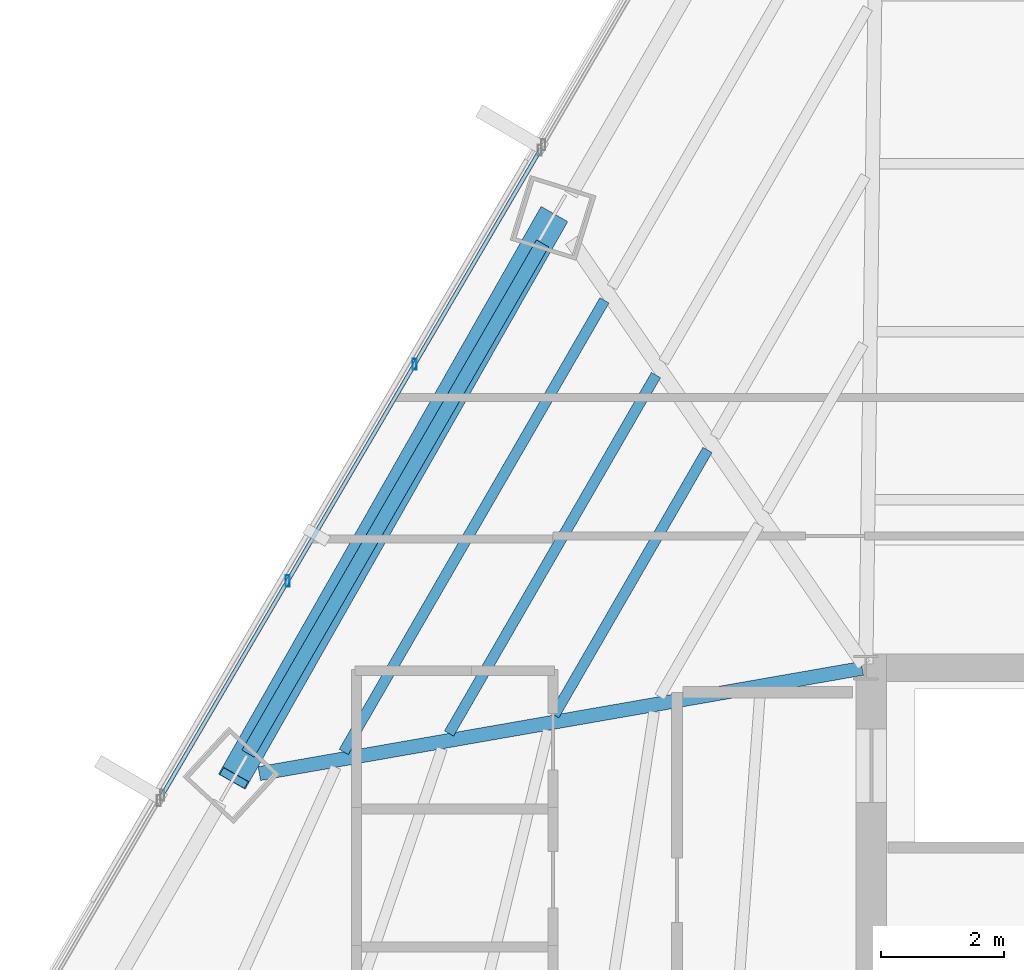
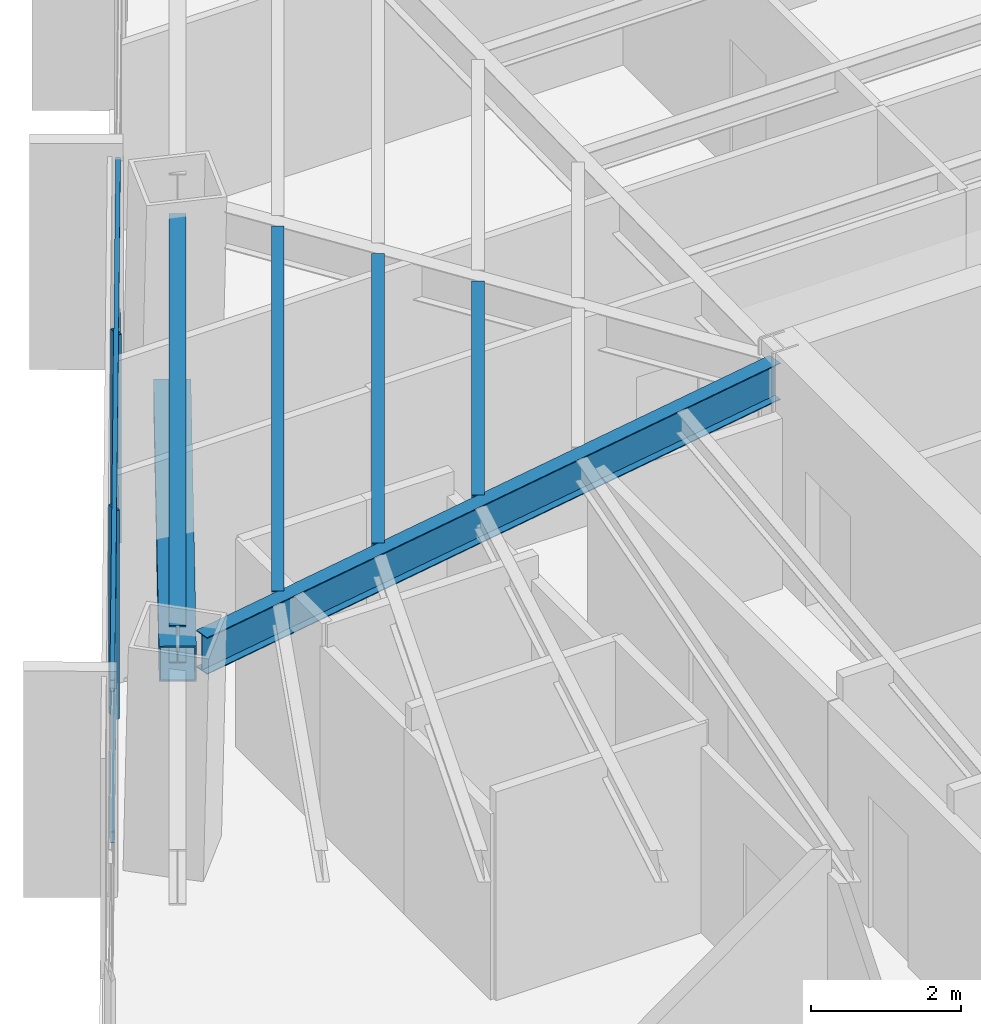
# One storey, part 12 of 35: 5 beams, 5 members, 1 element without a shape of its own.
"""IFC4 building model written with IfcOpenShell, lengths in metres."""

from ifc_helpers import new_model, si_unit, direction, frame, origin, origin_2d, place, context, subcontext, project, spatial, hollow_rectangle, i_section, extrude, source, transform, mapped, material, material_profile, profile_set, type_object, type_shapes, element, aggregate, save


model = new_model("IFC4")

# Units and contexts
model_context = context("Model", 3, precision=1e-05, world=origin(), true_north=direction((0.0, 1.0)))
body_context = subcontext(model_context, "Body", "Model", "MODEL_VIEW")
ifc_project = project(units=[si_unit("LENGTHUNIT", "METRE"), si_unit("AREAUNIT", "SQUARE_METRE"), si_unit("VOLUMEUNIT", "CUBIC_METRE"), si_unit("PLANEANGLEUNIT", "RADIAN"), si_unit("MASSUNIT", "GRAM", prefix="KILO")], contexts=[model_context])

# Site, building, storey
site_placement = place(None, origin())
site = spatial("IfcSite", under=ifc_project, at=site_placement, CompositionType="ELEMENT")
building_placement = place(site_placement, origin())
building = spatial("IfcBuilding", under=site, at=building_placement, Name="Caelisora Broadcast Tower", CompositionType="ELEMENT")
storey_placement = place(building_placement, frame((0.0, 0.0, 109.050048828125)))
storey = spatial("IfcBuildingStorey", under=building, at=storey_placement, Name="L28", CompositionType="ELEMENT", Elevation=109.050048828125)

# Beams
ifc_material_1 = material(Name="Steel Grade 350 (AS/NZS 3679.1)", Category="steel")
ifc_material_profile_1 = material_profile(ifc_material_1, i_section(OverallWidth=0.22900390625, OverallDepth=0.611572265625, WebThickness=0.011962890625, FlangeThickness=0.01953125, at=origin_2d()), Name="Steel Grade 350 (AS/NZS 3679.1)")
ifc_profile_set_1 = profile_set([ifc_material_profile_1], Name="Steel Grade 350 (AS/NZS 3679.1)")
beam_type_1 = type_object("IfcBeamType", Name="PG03", PredefinedType="BEAM", material=ifc_profile_set_1)
shared_shape_1 = source(origin(), body_context, "Body", "SweptSolid", [
    extrude(i_section(OverallWidth=0.22900390625, OverallDepth=0.611572265625, WebThickness=0.011962890625, FlangeThickness=0.01953125, at=origin_2d()), origin(), (0.0, 0.0, 1.0), 9.59912109375),
])
type_shapes(beam_type_1, [shared_shape_1])
beam_1_placement = place(storey_placement, frame((25.231689453125, 36.913818359375, 3.09423828125), z_axis=(-0.499974171624, -0.866040315291, 0.0), x_axis=(0.866040315291, -0.499974171624, 0.0)))
element("IfcBeam", 1, at=beam_1_placement, inside=storey, type_object=beam_type_1, Name="L28 beam PG03", PredefinedType="BEAM", context=body_context, shape_type="MappedRepresentation", body=[
    mapped(shared_shape_1, transform((0.0, 0.0, 0.0), scale=1.0)),
])
ifc_material_profile_2 = material_profile(ifc_material_1, i_section(OverallWidth=0.22802734375, OverallDepth=0.602294921875, WebThickness=0.010498046875, FlangeThickness=0.014892578125, at=origin_2d()), Name="Steel Grade 350 (AS/NZS 3679.1)")
ifc_profile_set_2 = profile_set([ifc_material_profile_2], Name="Steel Grade 350 (AS/NZS 3679.1)")
beam_type_2 = type_object("IfcBeamType", Name="PG04", PredefinedType="BEAM", material=ifc_profile_set_2)
shared_shape_2 = source(origin(), body_context, "Body", "SweptSolid", [
    extrude(i_section(OverallWidth=0.22802734375, OverallDepth=0.602294921875, WebThickness=0.010498046875, FlangeThickness=0.014892578125, at=origin_2d()), origin(), (0.0, 0.0, 1.0), 9.9736328125),
])
type_shapes(beam_type_2, [shared_shape_2])
beam_2_placement = place(storey_placement, frame((30.44091796875, 29.98974609375, 3.098876953125), z_axis=(-0.985099074989, -0.171987826476, 0.0), x_axis=(0.171987826476, -0.985099074989, 0.0)))
element("IfcBeam", 2, at=beam_2_placement, inside=storey, type_object=beam_type_2, Name="L28 beam PG04", PredefinedType="BEAM", context=body_context, shape_type="MappedRepresentation", body=[
    mapped(shared_shape_2, transform((0.0, 0.0, 0.0), scale=1.0)),
])
ifc_material_profile_3 = material_profile(ifc_material_1, i_section(OverallWidth=0.172119140625, OverallDepth=0.358642578125, WebThickness=0.008056640625, FlangeThickness=0.012939453125, at=origin_2d()), Name="Steel Grade 350 (AS/NZS 3679.1)")
ifc_profile_set_3 = profile_set([ifc_material_profile_3], Name="Steel Grade 350 (AS/NZS 3679.1)")
beam_type_3 = type_object("IfcBeamType", Name="SB02", PredefinedType="JOIST", material=ifc_profile_set_3)
shared_shape_3 = source(origin(), body_context, "Body", "SweptSolid", [
    extrude(i_section(OverallWidth=0.172119140625, OverallDepth=0.358642578125, WebThickness=0.008056640625, FlangeThickness=0.012939453125, at=origin_2d()), origin(), (0.0, 0.0, 1.0), 4.99072265625),
])
beam_3_placement = place(storey_placement, frame((27.919189453125, 33.54931640625, 3.220703125), z_axis=(-0.500006170614, -0.866021841149, 0.0), x_axis=(0.866021841149, -0.500006170614, 0.0)))
element("IfcBeam", 3, at=beam_3_placement, inside=storey, type_object=beam_type_3, Name="L28 beam SB02", PredefinedType="JOIST", context=body_context, shape_type="MappedRepresentation", body=[
    mapped(shared_shape_3, transform((0.0, 0.0, 0.0), scale=1.0)),
])
shared_shape_4 = source(origin(), body_context, "Body", "SweptSolid", [
    extrude(i_section(OverallWidth=0.172119140625, OverallDepth=0.358642578125, WebThickness=0.008056640625, FlangeThickness=0.012939453125, at=origin_2d()), origin(), (0.0, 0.0, 1.0), 6.743896484375),
])
beam_4_placement = place(storey_placement, frame((27.07958984375, 34.76806640625, 3.220703125), z_axis=(-0.499974193154, -0.866040302861, 0.0), x_axis=(0.866040302861, -0.499974193154, 0.0)))
element("IfcBeam", 4, at=beam_4_placement, inside=storey, type_object=beam_type_3, Name="L28 beam SB02", PredefinedType="JOIST", context=body_context, shape_type="MappedRepresentation", body=[
    mapped(shared_shape_4, transform((0.0, 0.0, 0.0), scale=1.0)),
])
shared_shape_5 = source(origin(), body_context, "Body", "SweptSolid", [
    extrude(i_section(OverallWidth=0.172119140625, OverallDepth=0.358642578125, WebThickness=0.008056640625, FlangeThickness=0.012939453125, at=origin_2d()), origin(), (0.0, 0.0, 1.0), 8.497314453125),
])
type_shapes(beam_type_3, [shared_shape_3, shared_shape_4, shared_shape_5])
beam_5_placement = place(storey_placement, frame((26.239990234375, 35.98681640625, 3.220703125), z_axis=(-0.499989401968, -0.866031522475, 0.0), x_axis=(0.866031522475, -0.499989401968, 0.0)))
element("IfcBeam", 5, at=beam_5_placement, inside=storey, type_object=beam_type_3, Name="L28 beam SB02", PredefinedType="JOIST", context=body_context, shape_type="MappedRepresentation", body=[
    mapped(shared_shape_5, transform((0.0, 0.0, 0.0), scale=1.0)),
])

# Member
ifc_material_2 = material(Name="Steel Grade 450 L15 (AS/NZS 3678)", Category="steel")
ifc_material_profile_4 = material_profile(ifc_material_2, hollow_rectangle(XDim=0.5, YDim=0.5, WallThickness=0.02001953125, at=origin_2d()), Name="Steel Grade 450 L15 (AS/NZS 3678)")
ifc_profile_set_4 = profile_set([ifc_material_profile_4], Name="Steel Grade 450 L15 (AS/NZS 3678)")
member_type_1 = type_object("IfcMemberType", Name="BR02", PredefinedType="BRACE", material=ifc_profile_set_4)
shared_shape_6 = source(origin(), body_context, "Body", "SweptSolid", [
    extrude(hollow_rectangle(XDim=0.5, YDim=0.5, WallThickness=0.02001953125, at=origin_2d()), origin(), (0.0, 0.0, 1.0), 10.9228515625),
])
type_shapes(member_type_1, [shared_shape_6])
member_1_placement = place(storey_placement, frame((25.39111328125, 37.333984375, 0.099853515625), z_axis=(-0.475033317967, -0.836007678536, 0.274653432983), x_axis=(0.869443622874, -0.494032171669, 0.0)))
element("IfcMember", 6, at=member_1_placement, inside=storey, type_object=member_type_1, Name="L28 perimeter brace BR02", PredefinedType="BRACE", context=body_context, shape_type="MappedRepresentation", body=[
    mapped(shared_shape_6, transform((0.0, 0.0, 0.0), scale=1.0)),
])

# Curtain wall, members
ifc_material_3 = material(Name="Unitised Aluminium Insulated Shadow-Box Spandrel Curtain Wall", Category="aluminium")
curtain_wall_type = type_object("IfcCurtainWallType", Name="CW-SP1", PredefinedType="NOTDEFINED", material=ifc_material_3)
curtain_wall_placement = place(storey_placement, origin())
curtain_wall = element("IfcCurtainWall", 7, at=curtain_wall_placement, inside=storey, type_object=curtain_wall_type, Name="L28 curtain wall CW-SP1", PredefinedType="NOTDEFINED")
ifc_material_4 = material(Name="Aluminium 6063-T6 Anodised Terracotta Bronze", Category="aluminium")
ifc_material_profile_5 = material_profile(ifc_material_4, hollow_rectangle(XDim=0.06494140625, YDim=0.179931640625, WallThickness=0.00341796875, at=origin_2d()), Name="Aluminium 6063-T6 Anodised Terracotta Bronze")
ifc_profile_set_5 = profile_set([ifc_material_profile_5], Name="Aluminium 6063-T6 Anodised Terracotta Bronze")
member_type_2 = type_object("IfcMemberType", Name="CWM-02", PredefinedType="MULLION", material=ifc_profile_set_5)
shared_shape_7 = source(origin(), body_context, "Body", "SweptSolid", [
    extrude(hollow_rectangle(XDim=0.06494140625, YDim=0.179931640625, WallThickness=0.00341796875, at=origin_2d()), origin(), (0.0, 0.0, 1.0), 3.39990234375),
])
type_shapes(member_type_2, [shared_shape_7])
member_2_placement = place(storey_placement, frame((21.077880859375, 31.4130859375, 0.0), z_axis=(0.0, 0.0, 1.0), x_axis=(1.0, 0.0, 0.0)))
member_2 = element("IfcMember", 8, at=member_2_placement, type_object=member_type_2, Name="L28-CW-B10 mullion #1", PredefinedType="MULLION", context=body_context, shape_type="MappedRepresentation", body=[
    mapped(shared_shape_7, transform((0.0, 0.0, 0.0), scale=1.0)),
])
member_3_placement = place(storey_placement, frame((23.146484375, 34.94384765625, 0.0), z_axis=(0.0, 0.0, 1.0), x_axis=(1.0, 0.0, 0.0)))
member_3 = element("IfcMember", 9, at=member_3_placement, type_object=member_type_2, Name="L28-CW-B10 mullion #2", PredefinedType="MULLION", context=body_context, shape_type="MappedRepresentation", body=[
    mapped(shared_shape_7, transform((0.0, 0.0, 0.0), scale=1.0)),
])
ifc_material_profile_6 = material_profile(ifc_material_4, hollow_rectangle(XDim=0.06494140625, YDim=0.179931640625, WallThickness=0.00341796875, at=origin_2d()), Name="Aluminium 6063-T6 Anodised Terracotta Bronze")
ifc_profile_set_6 = profile_set([ifc_material_profile_6], Name="Aluminium 6063-T6 Anodised Terracotta Bronze")
member_type_3 = type_object("IfcMemberType", Name="CWT-01", PredefinedType="USERDEFINED", material=ifc_profile_set_6)
shared_shape_8 = source(origin(), body_context, "Body", "SweptSolid", [
    extrude(hollow_rectangle(XDim=0.06494140625, YDim=0.179931640625, WallThickness=0.00341796875, at=origin_2d()), origin(), (0.0, 0.0, 1.0), 12.176025390625),
])
type_shapes(member_type_3, [shared_shape_8])
member_4_placement = place(storey_placement, frame((19.03466796875, 27.925537109375, 0.849853515625), z_axis=(0.50550078776, 0.862826143307, 0.0), x_axis=(-0.862826143307, 0.50550078776, 0.0)))
member_4 = element("IfcMember", 10, at=member_4_placement, type_object=member_type_3, Name="L28-CW-B10 transom #1", ObjectType="TRANSOM", PredefinedType="USERDEFINED", context=body_context, shape_type="MappedRepresentation", body=[
    mapped(shared_shape_8, transform((0.0, 0.0, 0.0), scale=1.0)),
])
member_5_placement = place(storey_placement, frame((19.03466796875, 27.925537109375, 3.320068359375), z_axis=(0.50550078776, 0.862826143307, 0.0), x_axis=(-0.862826143307, 0.50550078776, 0.0)))
member_5 = element("IfcMember", 11, at=member_5_placement, type_object=member_type_3, Name="L28-CW-B10 transom #2", ObjectType="TRANSOM", PredefinedType="USERDEFINED", context=body_context, shape_type="MappedRepresentation", body=[
    mapped(shared_shape_8, transform((0.0, 0.0, 0.0), scale=1.0)),
])
aggregate(curtain_wall, [member_2, member_3, member_4, member_5])

save(model, "model.ifc")
